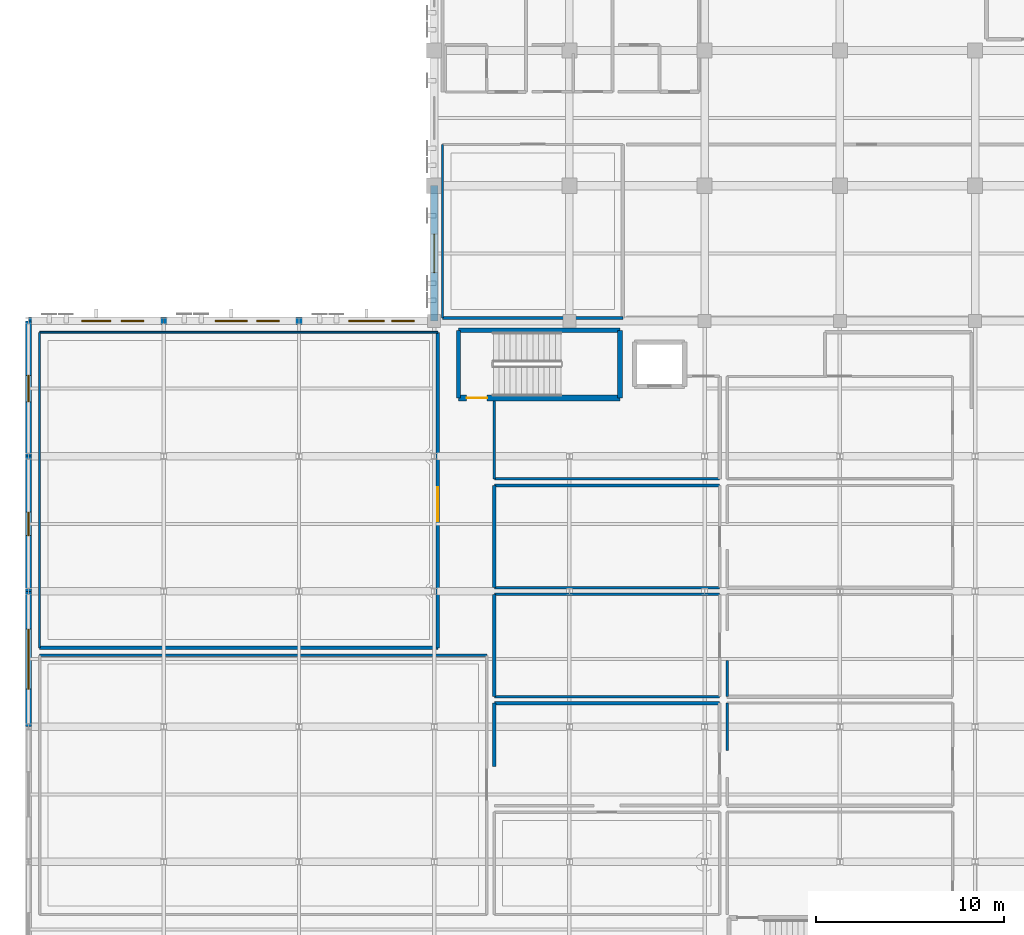
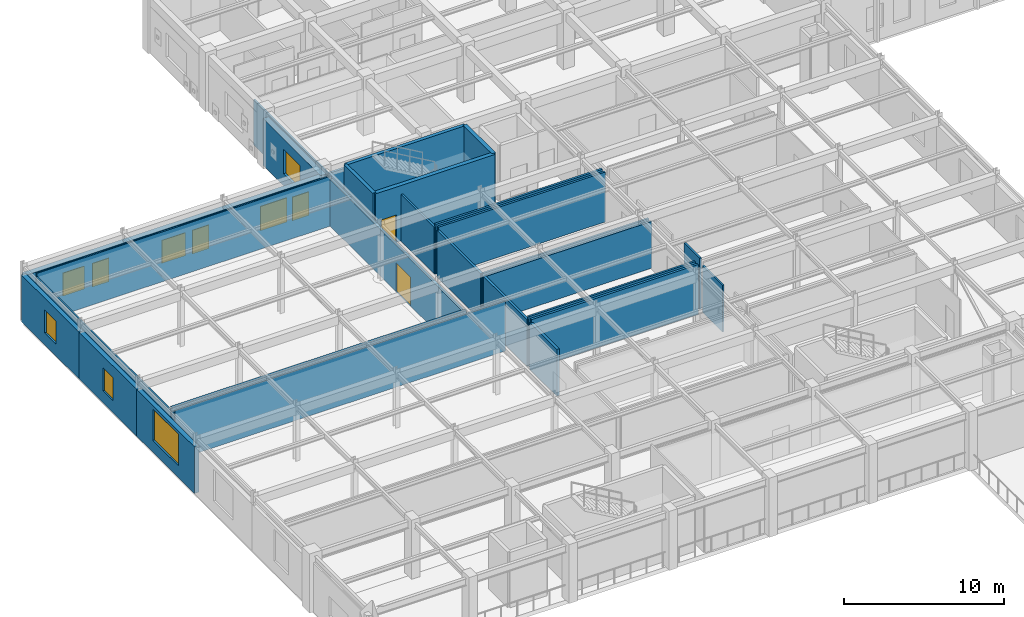
# One storey, part 76 of 106: 30 walls, 10 windows, 2 doors, 12 openings.
"""IFC4 building model written with IfcOpenShell, lengths in metres."""

from ifc_helpers import new_model, si_unit, direction, frame, frame_2d, origin, place, context, subcontext, project, spatial, rectangle, extrude, material, layer, layer_set, type_object, element, fill, save


model = new_model("IFC4")

# Units and contexts
model_context = context("Model", 3, precision=1e-05, world=origin(), true_north=direction((0.0, 1.0)))
body_context = subcontext(model_context, "Body", "Model", "MODEL_VIEW")
ifc_project = project(units=[si_unit("LENGTHUNIT", "METRE"), si_unit("AREAUNIT", "SQUARE_METRE"), si_unit("VOLUMEUNIT", "CUBIC_METRE"), si_unit("PLANEANGLEUNIT", "RADIAN"), si_unit("MASSUNIT", "GRAM", prefix="KILO")], contexts=[model_context])

# Site, building, storey
site_placement = place(None, origin())
site = spatial("IfcSite", under=ifc_project, at=site_placement, CompositionType="ELEMENT")
building_placement = place(site_placement, origin())
building = spatial("IfcBuilding", under=site, at=building_placement, Name="Carrowvane Square Congress Hotel", CompositionType="ELEMENT")
storey_placement = place(building_placement, frame((0.0, 0.0, 10.5)))
storey = spatial("IfcBuildingStorey", under=building, at=storey_placement, Name="L02", CompositionType="ELEMENT", Elevation=10.5)

# Wall, openings, windows
ifc_material_1 = material(Name="Glazed terracotta rainscreen", Category="masonry")
ifc_layer_1 = layer(ifc_material_1, 0.39990234375)
ifc_layer_set_1 = layer_set([ifc_layer_1], Name="Glazed terracotta rainscreen")
wall_type_1 = type_object("IfcWallType", Name="WL-EXT-TC400", PredefinedType="STANDARD", material=ifc_layer_set_1)
wall_1_placement = place(storey_placement, frame((11.60009765625, 91.800048828125, 0.0), z_axis=(0.0, 0.0, 1.0), x_axis=(1.0, 0.0, 0.0)))
wall_1 = element("IfcWall", 1, at=wall_1_placement, inside=storey, type_object=wall_type_1, Name="L02 exterior facade wall 272", PredefinedType="STANDARD", context=body_context, shape_type="SweptSolid", body=[
    extrude(rectangle(XDim=7.199951171875, YDim=0.39990234375, at=frame_2d((3.60009765625, 0.0))), origin(), (0.0, 0.0, 1.0), 3.554931640625),
])
opening_1_placement = place(wall_1_placement, frame((2.824951171875, 0.0, 0.89990234375)))
opening_1 = element("IfcOpeningElement", 2, at=opening_1_placement, cuts=wall_1, Name="Opening W-23", PredefinedType="OPENING", context=body_context, shape_type="SweptSolid", body=[
    extrude(rectangle(XDim=1.550048828125, YDim=1.75, at=frame_2d((0.77490234375, 0.875))), frame((0.0, 0.2099609375, 0.0), z_axis=(0.0, -1.0, 0.0), x_axis=(1.0, 0.0, 0.0)), (0.0, 0.0, 1.0), 0.419921875),
])
opening_2_placement = place(wall_1_placement, frame((4.949951171875, 0.0, 0.85009765625)))
opening_2 = element("IfcOpeningElement", 3, at=opening_2_placement, cuts=wall_1, Name="Opening W-01", PredefinedType="OPENING", context=body_context, shape_type="SweptSolid", body=[
    extrude(rectangle(XDim=1.199951171875, YDim=1.800048828125, at=frame_2d((0.60009765625, 0.89990234375))), frame((0.0, 0.2099609375, 0.0), z_axis=(0.0, -1.0, 0.0), x_axis=(1.0, 0.0, 0.0)), (0.0, 0.0, 1.0), 0.419921875),
])
ifc_material_2 = material(Name="Double-glazed low-E glass", Category="glass")
window_type_1 = type_object("IfcWindowType", Name="WIN-01", PartitioningType="SINGLE_PANEL", PredefinedType="WINDOW", material=ifc_material_2)
window_1_placement = place(opening_2_placement, origin())
window_1 = element("IfcWindow", 4, at=window_1_placement, inside=storey, type_object=window_type_1, Name="L02 guest bedroom window 86", OverallHeight=1.800048828125, OverallWidth=1.199951171875, PartitioningType="SINGLE_PANEL", PredefinedType="WINDOW", context=body_context, shape_type="SweptSolid", body=[
    extrude(rectangle(XDim=1.199951171875, YDim=1.800048828125, at=frame_2d((0.60009765625, 0.89990234375))), frame((0.0, 0.030029296875, 0.0), z_axis=(0.0, -1.0, 0.0), x_axis=(1.0, 0.0, 0.0)), (0.0, 0.0, 1.0), 0.06005859375),
])
fill(opening_2, window_1)
ifc_material_3 = material(Name="Double-glazed low-E glass", Category="glass")
window_type_2 = type_object("IfcWindowType", Name="WIN-23", PartitioningType="SINGLE_PANEL", PredefinedType="WINDOW", material=ifc_material_3)
window_2_placement = place(opening_1_placement, origin())
window_2 = element("IfcWindow", 5, at=window_2_placement, inside=storey, type_object=window_type_2, Name="L02 facade window 85", OverallHeight=1.75, OverallWidth=1.550048828125, PartitioningType="SINGLE_PANEL", PredefinedType="WINDOW", context=body_context, shape_type="SweptSolid", body=[
    extrude(rectangle(XDim=1.550048828125, YDim=1.75, at=frame_2d((0.77490234375, 0.875))), frame((0.0, 0.030029296875, 0.0), z_axis=(0.0, -1.0, 0.0), x_axis=(1.0, 0.0, 0.0)), (0.0, 0.0, 1.0), 0.06005859375),
])
fill(opening_1, window_2)

wall_2_placement = place(storey_placement, frame((18.800048828125, 91.800048828125, 0.0), z_axis=(0.0, 0.0, 1.0), x_axis=(1.0, 0.0, 0.0)))
wall_2 = element("IfcWall", 6, at=wall_2_placement, inside=storey, type_object=wall_type_1, Name="L02 exterior facade wall 273", PredefinedType="STANDARD", context=body_context, shape_type="SweptSolid", body=[
    extrude(rectangle(XDim=7.199951171875, YDim=0.39990234375, at=frame_2d((3.60009765625, 0.0))), origin(), (0.0, 0.0, 1.0), 3.554931640625),
])
opening_3_placement = place(wall_2_placement, frame((2.75, 0.0, 0.89990234375)))
opening_3 = element("IfcOpeningElement", 7, at=opening_3_placement, cuts=wall_2, Name="Opening W-24", PredefinedType="OPENING", context=body_context, shape_type="SweptSolid", body=[
    extrude(rectangle(XDim=1.699951171875, YDim=1.75, at=frame_2d((0.85009765625, 0.875))), frame((0.0, 0.2099609375, 0.0), z_axis=(0.0, -1.0, 0.0), x_axis=(1.0, 0.0, 0.0)), (0.0, 0.0, 1.0), 0.419921875),
])
opening_4_placement = place(wall_2_placement, frame((4.949951171875, 0.0, 0.85009765625)))
opening_4 = element("IfcOpeningElement", 8, at=opening_4_placement, cuts=wall_2, Name="Opening W-01", PredefinedType="OPENING", context=body_context, shape_type="SweptSolid", body=[
    extrude(rectangle(XDim=1.199951171875, YDim=1.800048828125, at=frame_2d((0.60009765625, 0.89990234375))), frame((0.0, 0.2099609375, 0.0), z_axis=(0.0, -1.0, 0.0), x_axis=(1.0, 0.0, 0.0)), (0.0, 0.0, 1.0), 0.419921875),
])
window_3_placement = place(opening_4_placement, origin())
window_3 = element("IfcWindow", 9, at=window_3_placement, inside=storey, type_object=window_type_1, Name="L02 guest bedroom window 88", OverallHeight=1.800048828125, OverallWidth=1.199951171875, PartitioningType="SINGLE_PANEL", PredefinedType="WINDOW", context=body_context, shape_type="SweptSolid", body=[
    extrude(rectangle(XDim=1.199951171875, YDim=1.800048828125, at=frame_2d((0.60009765625, 0.89990234375))), frame((0.0, 0.030029296875, 0.0), z_axis=(0.0, -1.0, 0.0), x_axis=(1.0, 0.0, 0.0)), (0.0, 0.0, 1.0), 0.06005859375),
])
fill(opening_4, window_3)
ifc_material_4 = material(Name="Double-glazed low-E glass", Category="glass")
window_type_3 = type_object("IfcWindowType", Name="WIN-24", PartitioningType="SINGLE_PANEL", PredefinedType="WINDOW", material=ifc_material_4)
window_4_placement = place(opening_3_placement, origin())
window_4 = element("IfcWindow", 10, at=window_4_placement, inside=storey, type_object=window_type_3, Name="L02 facade window 87", OverallHeight=1.75, OverallWidth=1.699951171875, PartitioningType="SINGLE_PANEL", PredefinedType="WINDOW", context=body_context, shape_type="SweptSolid", body=[
    extrude(rectangle(XDim=1.699951171875, YDim=1.75, at=frame_2d((0.85009765625, 0.875))), frame((0.0, 0.030029296875, 0.0), z_axis=(0.0, -1.0, 0.0), x_axis=(1.0, 0.0, 0.0)), (0.0, 0.0, 1.0), 0.06005859375),
])
fill(opening_3, window_4)

wall_3_placement = place(storey_placement, frame((26.0, 91.800048828125, 0.0), z_axis=(0.0, 0.0, 1.0), x_axis=(1.0, 0.0, 0.0)))
wall_3 = element("IfcWall", 11, at=wall_3_placement, inside=storey, type_object=wall_type_1, Name="L02 exterior facade wall 274", PredefinedType="STANDARD", context=body_context, shape_type="SweptSolid", body=[
    extrude(rectangle(XDim=7.199951171875, YDim=0.39990234375, at=frame_2d((3.60009765625, 0.0))), origin(), (0.0, 0.0, 1.0), 3.554931640625),
])
opening_5_placement = place(wall_3_placement, frame((2.64990234375, 0.0, 0.89990234375)))
opening_5 = element("IfcOpeningElement", 12, at=opening_5_placement, cuts=wall_3, Name="Opening W-25", PredefinedType="OPENING", context=body_context, shape_type="SweptSolid", body=[
    extrude(rectangle(XDim=1.89990234375, YDim=1.85009765625, at=frame_2d((0.949951171875, 0.925048828125))), frame((0.0, 0.2099609375, 0.0), z_axis=(0.0, -1.0, 0.0), x_axis=(1.0, 0.0, 0.0)), (0.0, 0.0, 1.0), 0.419921875),
])
opening_6_placement = place(wall_3_placement, frame((4.949951171875, 0.0, 0.85009765625)))
opening_6 = element("IfcOpeningElement", 13, at=opening_6_placement, cuts=wall_3, Name="Opening W-01", PredefinedType="OPENING", context=body_context, shape_type="SweptSolid", body=[
    extrude(rectangle(XDim=1.199951171875, YDim=1.800048828125, at=frame_2d((0.60009765625, 0.89990234375))), frame((0.0, 0.2099609375, 0.0), z_axis=(0.0, -1.0, 0.0), x_axis=(1.0, 0.0, 0.0)), (0.0, 0.0, 1.0), 0.419921875),
])
window_5_placement = place(opening_6_placement, origin())
window_5 = element("IfcWindow", 14, at=window_5_placement, inside=storey, type_object=window_type_1, Name="L02 guest bedroom window 90", OverallHeight=1.800048828125, OverallWidth=1.199951171875, PartitioningType="SINGLE_PANEL", PredefinedType="WINDOW", context=body_context, shape_type="SweptSolid", body=[
    extrude(rectangle(XDim=1.199951171875, YDim=1.800048828125, at=frame_2d((0.60009765625, 0.89990234375))), frame((0.0, 0.030029296875, 0.0), z_axis=(0.0, -1.0, 0.0), x_axis=(1.0, 0.0, 0.0)), (0.0, 0.0, 1.0), 0.06005859375),
])
fill(opening_6, window_5)
ifc_material_5 = material(Name="Double-glazed low-E glass", Category="glass")
window_type_4 = type_object("IfcWindowType", Name="WIN-25", PartitioningType="SINGLE_PANEL", PredefinedType="WINDOW", material=ifc_material_5)
window_6_placement = place(opening_5_placement, origin())
window_6 = element("IfcWindow", 15, at=window_6_placement, inside=storey, type_object=window_type_4, Name="L02 facade window 89", OverallHeight=1.85009765625, OverallWidth=1.89990234375, PartitioningType="SINGLE_PANEL", PredefinedType="WINDOW", context=body_context, shape_type="SweptSolid", body=[
    extrude(rectangle(XDim=1.89990234375, YDim=1.85009765625, at=frame_2d((0.949951171875, 0.925048828125))), frame((0.0, 0.030029296875, 0.0), z_axis=(0.0, -1.0, 0.0), x_axis=(1.0, 0.0, 0.0)), (0.0, 0.0, 1.0), 0.06005859375),
])
fill(opening_5, window_6)

# Wall, opening, window
wall_4_placement = place(storey_placement, frame((33.199951171875, 91.800048828125, 0.0), z_axis=(0.0, 0.0, 1.0), x_axis=(0.0, 1.0, 0.0)))
wall_4 = element("IfcWall", 16, at=wall_4_placement, inside=storey, type_object=wall_type_1, Name="L02 exterior facade wall 275", PredefinedType="STANDARD", context=body_context, shape_type="SweptSolid", body=[
    extrude(rectangle(XDim=7.199951171875, YDim=0.39990234375, at=frame_2d((3.60009765625, 0.0))), origin(), (0.0, 0.0, 1.0), 3.554931640625),
])
opening_7_placement = place(wall_4_placement, frame((2.574951171875, 0.0, 0.89990234375)))
opening_7 = element("IfcOpeningElement", 17, at=opening_7_placement, cuts=wall_4, Name="Opening W-26", PredefinedType="OPENING", context=body_context, shape_type="SweptSolid", body=[
    extrude(rectangle(XDim=2.050048828125, YDim=1.85009765625, at=frame_2d((1.02490234375, 0.925048828125))), frame((0.0, 0.2099609375, 0.0), z_axis=(0.0, -1.0, 0.0), x_axis=(1.0, 0.0, 0.0)), (0.0, 0.0, 1.0), 0.419921875),
])
ifc_material_6 = material(Name="Double-glazed low-E glass", Category="glass")
window_type_5 = type_object("IfcWindowType", Name="WIN-26", PartitioningType="SINGLE_PANEL", PredefinedType="WINDOW", material=ifc_material_6)
window_7_placement = place(opening_7_placement, origin())
window_7 = element("IfcWindow", 18, at=window_7_placement, inside=storey, type_object=window_type_5, Name="L02 facade window 91", OverallHeight=1.85009765625, OverallWidth=2.050048828125, PartitioningType="SINGLE_PANEL", PredefinedType="WINDOW", context=body_context, shape_type="SweptSolid", body=[
    extrude(rectangle(XDim=2.050048828125, YDim=1.85009765625, at=frame_2d((1.02490234375, 0.925048828125))), frame((0.0, 0.030029296875, 0.0), z_axis=(0.0, -1.0, 0.0), x_axis=(1.0, 0.0, 0.0)), (0.0, 0.0, 1.0), 0.06005859375),
])
fill(opening_7, window_7)

ifc_material_7 = material(Name="Standing-seam zinc cladding", Category="metal")
ifc_layer_2 = layer(ifc_material_7, 0.31005859375)
ifc_layer_set_2 = layer_set([ifc_layer_2], Name="Standing-seam zinc cladding")
wall_type_2 = type_object("IfcWallType", Name="WL-EXT-ZN310", PredefinedType="STANDARD", material=ifc_layer_set_2)
wall_5_placement = place(storey_placement, frame((11.60009765625, 70.199951171875, 0.0), z_axis=(0.0, 0.0, 1.0), x_axis=(0.0, 1.0, 0.0)))
wall_5 = element("IfcWall", 19, at=wall_5_placement, inside=storey, type_object=wall_type_2, Name="L02 exterior facade wall 269", PredefinedType="STANDARD", context=body_context, shape_type="SweptSolid", body=[
    extrude(rectangle(XDim=7.199951171875, YDim=0.31005859375, at=frame_2d((3.60009765625, 0.0))), origin(), (0.0, 0.0, 1.0), 3.554931640625),
])
opening_8_placement = place(wall_5_placement, frame((2.0, 0.0, 0.89990234375)))
opening_8 = element("IfcOpeningElement", 20, at=opening_8_placement, cuts=wall_5, Name="Opening W-20", PredefinedType="OPENING", context=body_context, shape_type="SweptSolid", body=[
    extrude(rectangle(XDim=3.199951171875, YDim=2.39990234375, at=frame_2d((1.60009765625, 1.199951171875))), frame((0.0, 0.1650390625, 0.0), z_axis=(0.0, -1.0, 0.0), x_axis=(1.0, 0.0, 0.0)), (0.0, 0.0, 1.0), 0.330078125),
])
ifc_material_8 = material(Name="Double-glazed low-E glass", Category="glass")
window_type_6 = type_object("IfcWindowType", Name="WIN-20", PartitioningType="SINGLE_PANEL", PredefinedType="WINDOW", material=ifc_material_8)
window_8_placement = place(opening_8_placement, origin())
window_8 = element("IfcWindow", 21, at=window_8_placement, inside=storey, type_object=window_type_6, Name="L02 facade window 82", OverallHeight=2.39990234375, OverallWidth=3.199951171875, PartitioningType="SINGLE_PANEL", PredefinedType="WINDOW", context=body_context, shape_type="SweptSolid", body=[
    extrude(rectangle(XDim=3.199951171875, YDim=2.39990234375, at=frame_2d((1.60009765625, 1.199951171875))), frame((0.0, 0.030029296875, 0.0), z_axis=(0.0, -1.0, 0.0), x_axis=(1.0, 0.0, 0.0)), (0.0, 0.0, 1.0), 0.06005859375),
])
fill(opening_8, window_8)

wall_6_placement = place(storey_placement, frame((11.60009765625, 77.39990234375, 0.0), z_axis=(0.0, 0.0, 1.0), x_axis=(0.0, 1.0, 0.0)))
wall_6 = element("IfcWall", 22, at=wall_6_placement, inside=storey, type_object=wall_type_2, Name="L02 exterior facade wall 270", PredefinedType="STANDARD", context=body_context, shape_type="SweptSolid", body=[
    extrude(rectangle(XDim=7.2001953125, YDim=0.31005859375, at=frame_2d((3.60009765625, 0.0))), origin(), (0.0, 0.0, 1.0), 3.554931640625),
])
opening_9_placement = place(wall_6_placement, frame((2.97509765625, 0.0, 0.89990234375)))
opening_9 = element("IfcOpeningElement", 23, at=opening_9_placement, cuts=wall_6, Name="Opening W-21", PredefinedType="OPENING", context=body_context, shape_type="SweptSolid", body=[
    extrude(rectangle(XDim=1.25, YDim=1.75, at=frame_2d((0.625, 0.875))), frame((0.0, 0.1650390625, 0.0), z_axis=(0.0, -1.0, 0.0), x_axis=(1.0, 0.0, 0.0)), (0.0, 0.0, 1.0), 0.330078125),
])
ifc_material_9 = material(Name="Double-glazed low-E glass", Category="glass")
window_type_7 = type_object("IfcWindowType", Name="WIN-21", PartitioningType="SINGLE_PANEL", PredefinedType="WINDOW", material=ifc_material_9)
window_9_placement = place(opening_9_placement, origin())
window_9 = element("IfcWindow", 24, at=window_9_placement, inside=storey, type_object=window_type_7, Name="L02 facade window 83", OverallHeight=1.75, OverallWidth=1.25, PartitioningType="SINGLE_PANEL", PredefinedType="WINDOW", context=body_context, shape_type="SweptSolid", body=[
    extrude(rectangle(XDim=1.25, YDim=1.75, at=frame_2d((0.625, 0.875))), frame((0.0, 0.030029296875, 0.0), z_axis=(0.0, -1.0, 0.0), x_axis=(1.0, 0.0, 0.0)), (0.0, 0.0, 1.0), 0.06005859375),
])
fill(opening_9, window_9)

wall_7_placement = place(storey_placement, frame((11.60009765625, 84.60009765625, 0.0), z_axis=(0.0, 0.0, 1.0), x_axis=(0.0, 1.0, 0.0)))
wall_7 = element("IfcWall", 25, at=wall_7_placement, inside=storey, type_object=wall_type_2, Name="L02 exterior facade wall 271", PredefinedType="STANDARD", context=body_context, shape_type="SweptSolid", body=[
    extrude(rectangle(XDim=7.199951171875, YDim=0.31005859375, at=frame_2d((3.60009765625, 0.0))), origin(), (0.0, 0.0, 1.0), 3.554931640625),
])
opening_10_placement = place(wall_7_placement, frame((2.89990234375, 0.0, 0.89990234375)))
opening_10 = element("IfcOpeningElement", 26, at=opening_10_placement, cuts=wall_7, Name="Opening W-22", PredefinedType="OPENING", context=body_context, shape_type="SweptSolid", body=[
    extrude(rectangle(XDim=1.39990234375, YDim=1.75, at=frame_2d((0.699951171875, 0.875))), frame((0.0, 0.1650390625, 0.0), z_axis=(0.0, -1.0, 0.0), x_axis=(1.0, 0.0, 0.0)), (0.0, 0.0, 1.0), 0.330078125),
])
ifc_material_10 = material(Name="Double-glazed low-E glass", Category="glass")
window_type_8 = type_object("IfcWindowType", Name="WIN-22", PartitioningType="SINGLE_PANEL", PredefinedType="WINDOW", material=ifc_material_10)
window_10_placement = place(opening_10_placement, origin())
window_10 = element("IfcWindow", 27, at=window_10_placement, inside=storey, type_object=window_type_8, Name="L02 facade window 84", OverallHeight=1.75, OverallWidth=1.39990234375, PartitioningType="SINGLE_PANEL", PredefinedType="WINDOW", context=body_context, shape_type="SweptSolid", body=[
    extrude(rectangle(XDim=1.39990234375, YDim=1.75, at=frame_2d((0.699951171875, 0.875))), frame((0.0, 0.030029296875, 0.0), z_axis=(0.0, -1.0, 0.0), x_axis=(1.0, 0.0, 0.0)), (0.0, 0.0, 1.0), 0.06005859375),
])
fill(opening_10, window_10)

# Walls
ifc_material_11 = material(Name="Acoustic gypsum board", Category="gypsum")
ifc_layer_3 = layer(ifc_material_11, 0.155029296875)
ifc_layer_set_3 = layer_set([ifc_layer_3], Name="Acoustic gypsum board")
wall_type_3 = type_object("IfcWallType", Name="WL-FIR-155", PredefinedType="PARTITIONING", material=ifc_layer_set_3)
wall_8_placement = place(storey_placement, frame((36.39990234375, 77.25, 0.0), z_axis=(0.0, 0.0, 1.0), x_axis=(1.0, 0.0, 0.0)))
element("IfcWall", 28, at=wall_8_placement, inside=storey, type_object=wall_type_3, Name="L02 Holistic Spa Suite 205 partition", PredefinedType="PARTITIONING", context=body_context, shape_type="SweptSolid", body=[
    extrude(rectangle(XDim=12.0, YDim=0.155029296875, at=frame_2d((6.0, 0.0))), origin(), (0.0, 0.0, 1.0), 3.554931640625),
])
for number, where, z_axis, x_axis, name in (
    (29, (36.39990234375, 83.050048828125, 0.0), (0.0, 0.0, 1.0), (1.0, 0.0, 0.0), "L02 Holistic Spa Suite 207 partition"),
    (30, (48.39990234375, 83.39990234375, 0.0), (0.0, 0.0, 1.0), (-1.0, 0.0, 0.0), "L02 Holistic Spa Suite 209 partition"),
):
    element("IfcWall", number, at=place(storey_placement, frame(where, z_axis=z_axis, x_axis=x_axis)), inside=storey, type_object=wall_type_3, Name=name, PredefinedType="PARTITIONING", context=body_context, shape_type="SweptSolid", body=[
        extrude(rectangle(XDim=12.0, YDim=0.155029296875, at=frame_2d((6.0, 0.0))), origin(), (0.0, 0.0, 1.0), 3.795654296875),
    ])
ifc_material_12 = material(Name="Acoustic gypsum board", Category="gypsum")
ifc_layer_4 = layer(ifc_material_12, 0.169921875)
ifc_layer_set_4 = layer_set([ifc_layer_4], Name="Acoustic gypsum board")
wall_type_4 = type_object("IfcWallType", Name="WL-FIR-170", PredefinedType="PARTITIONING", material=ifc_layer_set_4)
wall_9_placement = place(storey_placement, frame((43.25, 91.9599609375, 0.0), z_axis=(0.0, 0.0, 1.0), x_axis=(-1.0, 0.0, 0.0)))
element("IfcWall", 31, at=wall_9_placement, inside=storey, type_object=wall_type_4, Name="L02 L02 Wellness Reading Lounge partition", PredefinedType="PARTITIONING", context=body_context, shape_type="SweptSolid", body=[
    extrude(rectangle(XDim=9.60009765625, YDim=0.169921875, at=frame_2d((4.800048828125, 0.0))), origin(), (0.0, 0.0, 1.0), 3.455078125),
])
wall_10_placement = place(storey_placement, frame((33.39990234375, 74.39990234375, 0.0), z_axis=(0.0, 0.0, 1.0), x_axis=(-1.0, 0.0, 0.0)))
element("IfcWall", 32, at=wall_10_placement, inside=storey, type_object=wall_type_4, Name="L02 Mindfulness Yoga and Pilates Studio partition", PredefinedType="PARTITIONING", context=body_context, shape_type="SweptSolid", body=[
    extrude(rectangle(XDim=21.199951171875, YDim=0.169921875, at=frame_2d((10.60009765625, 0.0))), origin(), (0.0, 0.0, 1.0), 3.795654296875),
])
wall_11_placement = place(storey_placement, frame((36.39990234375, 71.449951171875, 0.0), z_axis=(0.0, 0.0, 1.0), x_axis=(1.0, 0.0, 0.0)))
element("IfcWall", 33, at=wall_11_placement, inside=storey, type_object=wall_type_4, Name="L02 Holistic Spa Suite 203 partition", PredefinedType="PARTITIONING", context=body_context, shape_type="SweptSolid", body=[
    extrude(rectangle(XDim=12.0, YDim=0.169921875, at=frame_2d((6.0, 0.0))), origin(), (0.0, 0.0, 1.0), 3.795654296875),
])
for number, where, z_axis, x_axis, name in (
    (34, (36.39990234375, 71.800048828125, 0.0), (0.0, 0.0, 1.0), (0.0, 1.0, 0.0), "L02 Holistic Spa Suite 205 partition"),
    (35, (36.39990234375, 77.60009765625, 0.0), (0.0, 0.0, 1.0), (0.0, 1.0, 0.0), "L02 Holistic Spa Suite 207 partition"),
):
    element("IfcWall", number, at=place(storey_placement, frame(where, z_axis=z_axis, x_axis=x_axis)), inside=storey, type_object=wall_type_4, Name=name, PredefinedType="PARTITIONING", context=body_context, shape_type="SweptSolid", body=[
        extrude(rectangle(XDim=5.449951171875, YDim=0.169921875, at=frame_2d((2.72509765625, 0.0))), origin(), (0.0, 0.0, 1.0), 3.554931640625),
    ])

# Wall, opening, door
ifc_material_13 = material(Name="Acoustic gypsum board", Category="gypsum")
ifc_layer_5 = layer(ifc_material_13, 0.18505859375)
ifc_layer_set_5 = layer_set([ifc_layer_5], Name="Acoustic gypsum board")
wall_type_5 = type_object("IfcWallType", Name="WL-FIR-185", PredefinedType="PARTITIONING", material=ifc_layer_set_5)
wall_12_placement = place(storey_placement, frame((33.39990234375, 91.199951171875, 0.0), z_axis=(0.0, 0.0, 1.0), x_axis=(0.0, -1.0, 0.0)))
wall_12 = element("IfcWall", 36, at=wall_12_placement, inside=storey, type_object=wall_type_5, Name="L02 Mindfulness Yoga and Pilates Studio partition", PredefinedType="PARTITIONING", context=body_context, shape_type="SweptSolid", body=[
    extrude(rectangle(XDim=16.800048828125, YDim=0.18505859375, at=frame_2d((8.39990234375, 0.0))), origin(), (0.0, 0.0, 1.0), 3.554931640625),
])
opening_11_placement = place(wall_12_placement, frame((8.25, 0.0, 0.0)))
opening_11 = element("IfcOpeningElement", 37, at=opening_11_placement, cuts=wall_12, Name="Opening FD-05", PredefinedType="OPENING", context=body_context, shape_type="SweptSolid", body=[
    extrude(rectangle(XDim=1.800048828125, YDim=2.199951171875, at=frame_2d((0.89990234375, 1.10009765625))), frame((0.0, 0.1025390625, 0.0), z_axis=(0.0, -1.0, 0.0), x_axis=(1.0, 0.0, 0.0)), (0.0, 0.0, 1.0), 0.205078125),
])
ifc_material_14 = material(Name="European oak timber", Category="wood")
door_type_1 = type_object("IfcDoorType", Name="DR-FD60-1800x2200", OperationType="DOUBLE_DOOR_SINGLE_SWING", PredefinedType="DOOR", material=ifc_material_14)
door_1_placement = place(opening_11_placement, origin())
door_1 = element("IfcDoor", 38, at=door_1_placement, inside=storey, type_object=door_type_1, Name="L02 Mindfulness Yoga and Pilates Studio entrance door", OperationType="DOUBLE_DOOR_SINGLE_SWING", OverallHeight=2.199951171875, OverallWidth=1.800048828125, PredefinedType="DOOR", context=body_context, shape_type="SweptSolid", body=[
    extrude(rectangle(XDim=1.800048828125, YDim=2.199951171875, at=frame_2d((0.89990234375, 1.10009765625))), frame((0.0, 0.02490234375, 0.0), z_axis=(0.0, -1.0, 0.0), x_axis=(1.0, 0.0, 0.0)), (0.0, 0.0, 1.0), 0.050048828125),
])
fill(opening_11, door_1)

# Walls
wall_13_placement = place(storey_placement, frame((36.39990234375, 68.080078125, 0.0), z_axis=(0.0, 0.0, 1.0), x_axis=(0.0, 1.0, 0.0)))
element("IfcWall", 39, at=wall_13_placement, inside=storey, type_object=wall_type_5, Name="L02 Holistic Spa Suite 203 partition", PredefinedType="PARTITIONING", context=body_context, shape_type="SweptSolid", body=[
    extrude(rectangle(XDim=3.369873046875, YDim=0.18505859375, at=frame_2d((1.68505859375, 0.0))), origin(), (0.0, 0.0, 1.0), 3.554931640625),
])
ifc_material_15 = material(Name="Acoustic gypsum board", Category="gypsum")
ifc_layer_6 = layer(ifc_material_15, 0.097900390625)
ifc_layer_set_6 = layer_set([ifc_layer_6], Name="Acoustic gypsum board")
wall_type_6 = type_object("IfcWallType", Name="WL-PRT-098", PredefinedType="PARTITIONING", material=ifc_layer_set_6)
wall_14_placement = place(storey_placement, frame((12.199951171875, 91.199951171875, 0.0), z_axis=(0.0, 0.0, 1.0), x_axis=(1.0, 0.0, 0.0)))
element("IfcWall", 40, at=wall_14_placement, inside=storey, type_object=wall_type_6, Name="L02 Mindfulness Yoga and Pilates Studio partition", PredefinedType="PARTITIONING", context=body_context, shape_type="SweptSolid", body=[
    extrude(rectangle(XDim=21.199951171875, YDim=0.097900390625, at=frame_2d((10.60009765625, 0.0))), origin(), (0.0, 0.0, 1.0), 3.795654296875),
])
ifc_material_16 = material(Name="Acoustic gypsum board", Category="gypsum")
ifc_layer_7 = layer(ifc_material_16, 0.10791015625)
ifc_layer_set_7 = layer_set([ifc_layer_7], Name="Acoustic gypsum board")
wall_type_7 = type_object("IfcWallType", Name="WL-PRT-108", PredefinedType="PARTITIONING", material=ifc_layer_set_7)
wall_15_placement = place(storey_placement, frame((33.64990234375, 91.9599609375, 0.0), z_axis=(0.0, 0.0, 1.0), x_axis=(0.0, 1.0, 0.0)))
element("IfcWall", 41, at=wall_15_placement, inside=storey, type_object=wall_type_7, Name="L02 L02 Wellness Reading Lounge partition", PredefinedType="PARTITIONING", context=body_context, shape_type="SweptSolid", body=[
    extrude(rectangle(XDim=9.239990234375, YDim=0.10791015625, at=frame_2d((4.6201171875, 0.0))), origin(), (0.0, 0.0, 1.0), 3.455078125),
])
wall_16_placement = place(storey_placement, frame((12.199951171875, 74.39990234375, 0.0), z_axis=(0.0, 0.0, 1.0), x_axis=(0.0, 1.0, 0.0)))
element("IfcWall", 42, at=wall_16_placement, inside=storey, type_object=wall_type_7, Name="L02 Mindfulness Yoga and Pilates Studio partition", PredefinedType="PARTITIONING", context=body_context, shape_type="SweptSolid", body=[
    extrude(rectangle(XDim=16.800048828125, YDim=0.10791015625, at=frame_2d((8.39990234375, 0.0))), origin(), (0.0, 0.0, 1.0), 3.554931640625),
])
ifc_material_17 = material(Name="Acoustic gypsum board", Category="gypsum")
ifc_layer_8 = layer(ifc_material_17, 0.117919921875)
ifc_layer_set_8 = layer_set([ifc_layer_8], Name="Acoustic gypsum board")
wall_type_8 = type_object("IfcWallType", Name="WL-PRT-118", PredefinedType="PARTITIONING", material=ifc_layer_set_8)
wall_17_placement = place(storey_placement, frame((48.800048828125, 68.945068359375, 0.0), z_axis=(0.0, 0.0, 1.0), x_axis=(0.0, 1.0, 0.0)))
element("IfcWall", 43, at=wall_17_placement, inside=storey, type_object=wall_type_8, Name="L02 Holistic Spa Suite 204 partition", PredefinedType="PARTITIONING", context=body_context, shape_type="SweptSolid", body=[
    extrude(rectangle(XDim=2.5048828125, YDim=0.117919921875, at=frame_2d((1.25244140625, 0.0))), origin(), (0.0, 0.0, 1.0), 3.554931640625),
])
ifc_material_18 = material(Name="Acoustic gypsum board", Category="gypsum")
ifc_layer_9 = layer(ifc_material_18, 0.1279296875)
ifc_layer_set_9 = layer_set([ifc_layer_9], Name="Acoustic gypsum board")
wall_type_9 = type_object("IfcWallType", Name="WL-PRT-128", PredefinedType="PARTITIONING", material=ifc_layer_set_9)
wall_18_placement = place(storey_placement, frame((48.800048828125, 71.800048828125, 0.0), z_axis=(0.0, 0.0, 1.0), x_axis=(0.0, 1.0, 0.0)))
element("IfcWall", 44, at=wall_18_placement, inside=storey, type_object=wall_type_9, Name="L02 Holistic Spa Suite 206 partition", PredefinedType="PARTITIONING", context=body_context, shape_type="SweptSolid", body=[
    extrude(rectangle(XDim=1.919921875, YDim=0.1279296875, at=frame_2d((0.9599609375, 0.0))), origin(), (0.0, 0.0, 1.0), 3.8984375),
])
ifc_material_19 = material(Name="Acoustic gypsum board", Category="gypsum")
ifc_layer_10 = layer(ifc_material_19, 0.137939453125)
ifc_layer_set_10 = layer_set([ifc_layer_10], Name="Acoustic gypsum board")
wall_type_10 = type_object("IfcWallType", Name="WL-PRT-138", PredefinedType="PARTITIONING", material=ifc_layer_set_10)
wall_19_placement = place(storey_placement, frame((12.199951171875, 74.0, 0.0), z_axis=(0.0, 0.0, 1.0), x_axis=(1.0, 0.0, 0.0)))
element("IfcWall", 45, at=wall_19_placement, inside=storey, type_object=wall_type_10, Name="L02 Hotel Fitness and Cardio Gymnasium partition", PredefinedType="PARTITIONING", context=body_context, shape_type="SweptSolid", body=[
    extrude(rectangle(XDim=23.800048828125, YDim=0.137939453125, at=frame_2d((11.89990234375, 0.0))), origin(), (0.0, 0.0, 1.0), 3.795654296875),
])
wall_20_placement = place(storey_placement, frame((48.39990234375, 71.800048828125, 0.0), z_axis=(0.0, 0.0, 1.0), x_axis=(-1.0, 0.0, 0.0)))
element("IfcWall", 46, at=wall_20_placement, inside=storey, type_object=wall_type_10, Name="L02 Holistic Spa Suite 205 partition", PredefinedType="PARTITIONING", context=body_context, shape_type="SweptSolid", body=[
    extrude(rectangle(XDim=12.0, YDim=0.137939453125, at=frame_2d((6.0, 0.0))), origin(), (0.0, 0.0, 1.0), 3.795654296875),
])
wall_21_placement = place(storey_placement, frame((48.39990234375, 77.60009765625, 0.0), z_axis=(0.0, 0.0, 1.0), x_axis=(-1.0, 0.0, 0.0)))
element("IfcWall", 47, at=wall_21_placement, inside=storey, type_object=wall_type_10, Name="L02 Holistic Spa Suite 207 partition", PredefinedType="PARTITIONING", context=body_context, shape_type="SweptSolid", body=[
    extrude(rectangle(XDim=12.0, YDim=0.137939453125, at=frame_2d((6.0, 0.0))), origin(), (0.0, 0.0, 1.0), 3.554931640625),
])
ifc_material_20 = material(Name="Acoustic gypsum board", Category="gypsum")
ifc_layer_11 = layer(ifc_material_20, 0.14794921875)
ifc_layer_set_11 = layer_set([ifc_layer_11], Name="Acoustic gypsum board")
wall_type_11 = type_object("IfcWallType", Name="WL-PRT-148", PredefinedType="PARTITIONING", material=ifc_layer_set_11)
wall_22_placement = place(storey_placement, frame((36.39990234375, 83.39990234375, 0.0), z_axis=(0.0, 0.0, 1.0), x_axis=(0.0, 1.0, 0.0)))
element("IfcWall", 48, at=wall_22_placement, inside=storey, type_object=wall_type_11, Name="L02 Holistic Spa Suite 209 partition", PredefinedType="PARTITIONING", context=body_context, shape_type="SweptSolid", body=[
    extrude(rectangle(XDim=4.130126953125, YDim=0.14794921875, at=frame_2d((2.06494140625, 0.0))), origin(), (0.0, 0.0, 1.0), 3.554931640625),
])
ifc_material_21 = material(Name="Concrete C40/50", Category="concrete")
ifc_layer_12 = layer(ifc_material_21, 0.22509765625)
ifc_layer_set_12 = layer_set([ifc_layer_12], Name="Concrete C40/50")
wall_type_12 = type_object("IfcWallType", Name="WL-SHR-225", PredefinedType="SHEAR", material=ifc_layer_set_12)
wall_23_placement = place(storey_placement, frame((34.5, 91.300048828125, 0.0), z_axis=(0.0, 0.0, 1.0), x_axis=(0.0, -1.0, 0.0)))
element("IfcWall", 49, at=wall_23_placement, inside=storey, type_object=wall_type_12, Name="L02 ST5 core wall west", PredefinedType="SHEAR", context=body_context, shape_type="SweptSolid", body=[
    extrude(rectangle(XDim=3.60009765625, YDim=0.22509765625, at=frame_2d((1.800048828125, 0.0))), origin(), (0.0, 0.0, 1.0), 4.219970703125),
])
ifc_material_22 = material(Name="Concrete C40/50", Category="concrete")
ifc_layer_13 = layer(ifc_material_22, 0.25)
ifc_layer_set_13 = layer_set([ifc_layer_13], Name="Concrete C40/50")
wall_type_13 = type_object("IfcWallType", Name="WL-SHR-250", PredefinedType="SHEAR", material=ifc_layer_set_13)
wall_24_placement = place(storey_placement, frame((43.10009765625, 91.300048828125, 0.0), z_axis=(0.0, 0.0, 1.0), x_axis=(-1.0, 0.0, 0.0)))
element("IfcWall", 50, at=wall_24_placement, inside=storey, type_object=wall_type_13, Name="L02 ST5 core wall north", PredefinedType="SHEAR", context=body_context, shape_type="SweptSolid", body=[
    extrude(rectangle(XDim=8.60009765625, YDim=0.25, at=frame_2d((4.300048828125, 0.0))), origin(), (0.0, 0.0, 1.0), 4.219970703125),
])
ifc_material_23 = material(Name="Concrete C40/50", Category="concrete")
ifc_layer_14 = layer(ifc_material_23, 0.27490234375)
ifc_layer_set_14 = layer_set([ifc_layer_14], Name="Concrete C40/50")
wall_type_14 = type_object("IfcWallType", Name="WL-SHR-275", PredefinedType="SHEAR", material=ifc_layer_set_14)
wall_25_placement = place(storey_placement, frame((43.10009765625, 87.699951171875, 0.0), z_axis=(0.0, 0.0, 1.0), x_axis=(0.0, 1.0, 0.0)))
element("IfcWall", 51, at=wall_25_placement, inside=storey, type_object=wall_type_14, Name="L02 ST5 core wall east", PredefinedType="SHEAR", context=body_context, shape_type="SweptSolid", body=[
    extrude(rectangle(XDim=3.60009765625, YDim=0.27490234375, at=frame_2d((1.800048828125, 0.0))), origin(), (0.0, 0.0, 1.0), 4.219970703125),
])

# Wall, opening, door
ifc_material_24 = material(Name="Concrete C40/50", Category="concrete")
ifc_layer_15 = layer(ifc_material_24, 0.300048828125)
ifc_layer_set_15 = layer_set([ifc_layer_15], Name="Concrete C40/50")
wall_type_15 = type_object("IfcWallType", Name="WL-SHR-300", PredefinedType="SHEAR", material=ifc_layer_set_15)
wall_26_placement = place(storey_placement, frame((34.5, 87.699951171875, 0.0), z_axis=(0.0, 0.0, 1.0), x_axis=(1.0, 0.0, 0.0)))
wall_26 = element("IfcWall", 52, at=wall_26_placement, inside=storey, type_object=wall_type_15, Name="L02 ST5 core wall south", PredefinedType="SHEAR", context=body_context, shape_type="SweptSolid", body=[
    extrude(rectangle(XDim=8.60009765625, YDim=0.300048828125, at=frame_2d((4.300048828125, 0.0))), origin(), (0.0, 0.0, 1.0), 4.219970703125),
])
opening_12_placement = place(wall_26_placement, frame((0.425048828125, 0.0, 0.0)))
opening_12 = element("IfcOpeningElement", 53, at=opening_12_placement, cuts=wall_26, Name="Opening FD-01", PredefinedType="OPENING", context=body_context, shape_type="SweptSolid", body=[
    extrude(rectangle(XDim=1.10009765625, YDim=2.10009765625, at=frame_2d((0.550048828125, 1.050048828125))), frame((0.0, 0.159912109375, 0.0), z_axis=(0.0, -1.0, 0.0), x_axis=(1.0, 0.0, 0.0)), (0.0, 0.0, 1.0), 0.320068359375),
])
ifc_material_25 = material(Name="European oak timber", Category="wood")
door_type_2 = type_object("IfcDoorType", Name="DR-FD60-1100x2100", OperationType="NOTDEFINED", PredefinedType="DOOR", material=ifc_material_25)
door_2_placement = place(opening_12_placement, origin())
door_2 = element("IfcDoor", 54, at=door_2_placement, inside=storey, type_object=door_type_2, Name="L02 ST5 fire door", OperationType="SINGLE_SWING_LEFT", OverallHeight=2.10009765625, OverallWidth=1.10009765625, PredefinedType="DOOR", context=body_context, shape_type="SweptSolid", body=[
    extrude(rectangle(XDim=1.10009765625, YDim=2.10009765625, at=frame_2d((0.550048828125, 1.050048828125))), frame((0.0, 0.02490234375, 0.0), z_axis=(0.0, -1.0, 0.0), x_axis=(1.0, 0.0, 0.0)), (0.0, 0.0, 1.0), 0.050048828125),
])
fill(opening_12, door_2)

save(model, "model.ifc")
